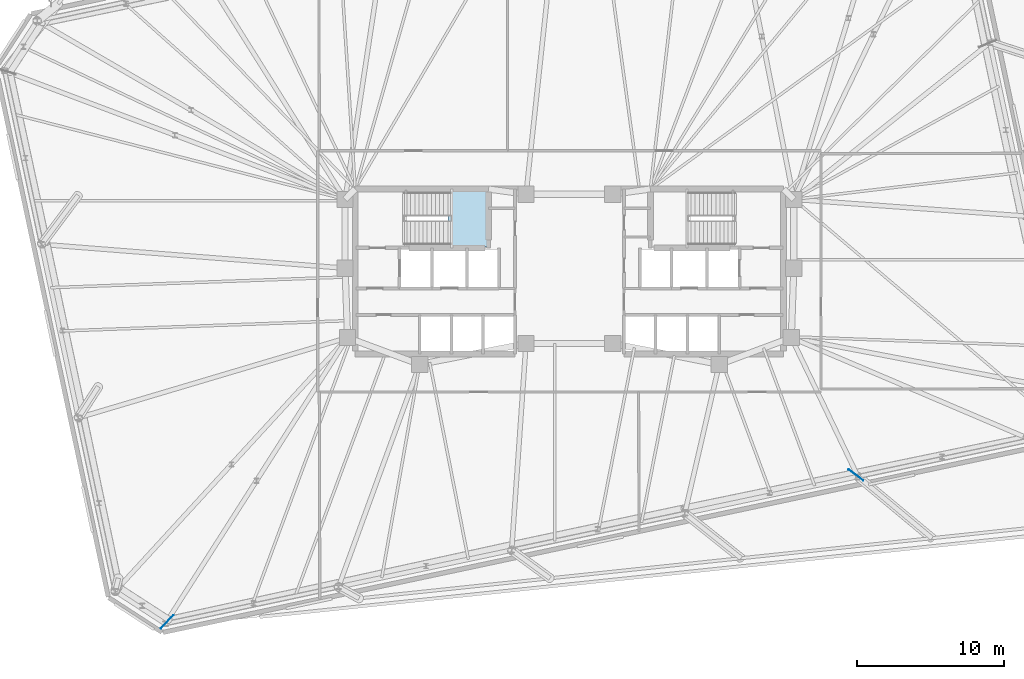
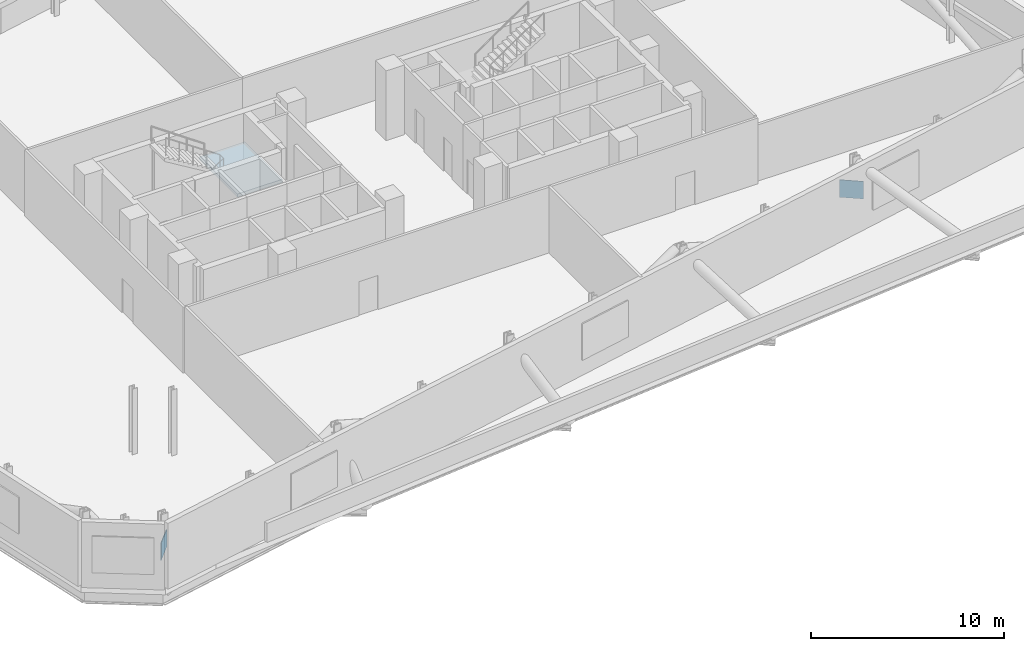
# One storey, part 12 of 19: 2 plates, 1 slab, 1 element without a shape of its own.
"""IFC4 building model written with IfcOpenShell, lengths in metres."""

import ifcopenshell
import ifcopenshell.guid

model = None  # the IFC model being written
_history = None  # IfcOwnerHistory: only IFC2X3 demands one
_inside = {}  # id of a spatial element -> (the spatial element, [elements in it])
_under = {}  # id of a project, library or spatial element -> (it, [spatial elements below it])
_declared = {}  # id of a project -> (the project, [libraries it declares])
_typed = {}  # id of a type object -> (the type object, [elements of that type])
_made_of = {}  # id of a material, layer set ... -> (it, [elements and type objects made of it])


def new_model(schema):
    """Start an empty IFC model of exactly this schema.

    Asked for "IFC4X3", IfcOpenShell would pick the latest addendum, in which some entities
    have other attributes; the version numbers below select the first issue.
    IFC2X3 requires an IfcOwnerHistory on every rooted entity: one is made here for all.
    """
    global model, _history
    if schema == "IFC4X3":
        model = ifcopenshell.file(schema_version=(4, 3, 0, 0))
    else:
        model = ifcopenshell.file(schema=schema)
    _inside.clear()
    _under.clear()
    _declared.clear()
    _typed.clear()
    _made_of.clear()
    _history = None
    if model.schema == "IFC2X3":
        org = make("IfcOrganization", Name="unknown")
        user = make(
            "IfcPersonAndOrganization",
            ThePerson=make("IfcPerson", FamilyName="unknown"),
            TheOrganization=org,
        )
        app = make(
            "IfcApplication",
            ApplicationDeveloper=org,
            Version="unknown",
            ApplicationFullName="unknown",
            ApplicationIdentifier="unknown",
        )
        _history = make(
            "IfcOwnerHistory",
            OwningUser=user,
            OwningApplication=app,
            ChangeAction="ADDED",
            CreationDate=0,
        )
    return model


def make(cls, **values):
    """One entity of the class cls with the attributes given. An attribute that is None is left unset."""
    return model.create_entity(
        cls, **{name: value for name, value in values.items() if value is not None}
    )


def rooted(cls, **values):
    """An entity with a GlobalId (a new one), such as an element, a storey or a relation."""
    return make(cls, GlobalId=ifcopenshell.guid.new(), OwnerHistory=_history, **values)


def si_unit(unit_type, name, prefix=None):
    """IfcSIUnit, for example si_unit("LENGTHUNIT", "METRE", prefix="MILLI")."""
    return make("IfcSIUnit", UnitType=unit_type, Prefix=prefix, Name=name)


def assignment(units):
    """IfcUnitAssignment: the units of a project."""
    return None if units is None else make("IfcUnitAssignment", Units=units)


def point(xyz):
    """IfcCartesianPoint."""
    return None if xyz is None else make("IfcCartesianPoint", Coordinates=xyz)


def direction(xyz):
    """IfcDirection."""
    return None if xyz is None else make("IfcDirection", DirectionRatios=xyz)


def frame(location, z_axis=None, x_axis=None):
    """IfcAxis2Placement3D, a coordinate frame: its origin and axes. An axis left out is left unset."""
    return make(
        "IfcAxis2Placement3D",
        Location=point(location),
        Axis=direction(z_axis),
        RefDirection=direction(x_axis),
    )


def frame_2d(location, x_axis=None):
    """IfcAxis2Placement2D, a coordinate frame in the plane: its origin and x axis."""
    return make(
        "IfcAxis2Placement2D", Location=point(location), RefDirection=direction(x_axis)
    )


def origin():
    """The frame at (0, 0, 0) with its axes left unset."""
    return frame((0.0, 0.0, 0.0))


def origin_2d():
    """The frame at (0, 0) in the plane with its x axis left unset."""
    return frame_2d((0.0, 0.0))


def place(relative_to, where):
    """IfcLocalPlacement: puts the frame where relative to a parent placement (None: the world)."""
    return make(
        "IfcLocalPlacement", PlacementRelTo=relative_to, RelativePlacement=where
    )


def context(
    kind, dimensions, precision=None, world=None, true_north=None, identifier=None
):
    """IfcGeometricRepresentationContext, for example the 3D "Model" context."""
    return make(
        "IfcGeometricRepresentationContext",
        ContextIdentifier=identifier,
        ContextType=kind,
        CoordinateSpaceDimension=dimensions,
        Precision=precision,
        WorldCoordinateSystem=world,
        TrueNorth=true_north,
    )


def subcontext(parent, identifier, kind, view, scale=None):
    """IfcGeometricRepresentationSubContext, for example "Body" below "Model"."""
    return make(
        "IfcGeometricRepresentationSubContext",
        ContextIdentifier=identifier,
        ContextType=kind,
        ParentContext=parent,
        TargetScale=scale,
        TargetView=view,
    )


def project(units=None, contexts=None):
    """IfcProject with its units and contexts."""
    return rooted(
        "IfcProject",
        Name="project",
        RepresentationContexts=contexts,
        UnitsInContext=assignment(units),
    )


def spatial(cls, under=None, at=None, **own):
    """A site, building, storey or space (cls), placed at a placement, below another one or the project."""
    s = rooted(cls, ObjectPlacement=at, **own)
    if under is not None:
        _under.setdefault(under.id(), (under, []))[1].append(s)
    return s


def polyline(points):
    """IfcPolyline through the points."""
    return make("IfcPolyline", Points=[point(p) for p in points])


def profile(cls, at=None, kind="AREA", **sizes):
    """A parametric profile (cls). Its sizes go by their IFC names, for example OverallWidth=200.0."""
    return make(cls, ProfileType=kind, Position=at, **sizes)


def rectangle(**sizes):
    """IfcRectangleProfileDef."""
    return profile("IfcRectangleProfileDef", **sizes)


def outline(outer, holes=None, kind="AREA"):
    """IfcArbitraryClosedProfileDef: a profile drawn as a closed curve; with holes, ...WithVoids."""
    if holes is None:
        return make("IfcArbitraryClosedProfileDef", ProfileType=kind, OuterCurve=outer)
    return make(
        "IfcArbitraryProfileDefWithVoids",
        ProfileType=kind,
        OuterCurve=outer,
        InnerCurves=holes,
    )


def extrude(swept, where, along, depth):
    """IfcExtrudedAreaSolid: the profile swept, set in the frame where, extruded along a direction by depth."""
    return make(
        "IfcExtrudedAreaSolid",
        SweptArea=swept,
        Position=where,
        ExtrudedDirection=direction(along),
        Depth=depth,
    )


def shape(context_of_items, identifier, shape_type, items):
    """IfcShapeRepresentation: the items that make up one representation, for example the "Body"."""
    return make(
        "IfcShapeRepresentation",
        ContextOfItems=context_of_items,
        RepresentationIdentifier=identifier,
        RepresentationType=shape_type,
        Items=items,
    )


def material(Name=None, Category=None):
    """IfcMaterial."""
    return make("IfcMaterial", Name=Name, Category=Category)


def layer(
    of_material, thickness, ventilated=None, Name=None, Category=None, Priority=None
):
    """IfcMaterialLayer: one layer of a wall or slab, of a material (None: an air gap)."""
    return make(
        "IfcMaterialLayer",
        Material=of_material,
        LayerThickness=thickness,
        IsVentilated=ventilated,
        Name=Name,
        Category=Category,
        Priority=Priority,
    )


def layer_set(layers, Name=None):
    """IfcMaterialLayerSet."""
    return make("IfcMaterialLayerSet", MaterialLayers=layers, LayerSetName=Name)


def made_of(thing, what):
    """Note that an element or type object is made of a material, layer set ...; save() writes the relation."""
    if what is not None:
        _made_of.setdefault(what.id(), (what, []))[1].append(thing)
    return thing


def type_object(cls, material=None, **own):
    """A type object (cls), such as IfcWallType, which elements share."""
    return made_of(rooted(cls, **own), material)


def element(
    cls,
    number,
    at=None,
    inside=None,
    cuts=None,
    type_object=None,
    material=None,
    context=None,
    identifier="Body",
    shape_type=None,
    held_by="IfcProductDefinitionShape",
    body=None,
    shapes=None,
    **own,
):
    """One element of the class cls, such as IfcWall. Its Tag is "e" and its number.

    at: its placement. inside: the storey or other place that contains it. cuts: it is an
    opening in that element (IfcRelVoidsElement). A single representation is given by context,
    identifier, shape_type and body (its items); several are given by shapes. held_by: the class
    of the entity that holds the representations. save() writes the other relations.
    """
    e = rooted(cls, Tag="e%d" % number, ObjectPlacement=at, **own)
    if body is not None:
        shapes = [shape(context, identifier, shape_type, body)]
    if shapes is not None:
        e.Representation = make(held_by, Representations=shapes)
    if inside is not None:
        _inside.setdefault(inside.id(), (inside, []))[1].append(e)
    if cuts is not None:
        rooted(
            "IfcRelVoidsElement", RelatingBuildingElement=cuts, RelatedOpeningElement=e
        )
    if type_object is not None:
        _typed.setdefault(type_object.id(), (type_object, []))[1].append(e)
    return made_of(e, material)


def aggregate(whole, parts):
    """IfcRelAggregates: a whole, such as a stair, and the parts it consists of."""
    return rooted("IfcRelAggregates", RelatingObject=whole, RelatedObjects=parts)


def save(model, path):
    """Write the relations noted so far, then the file.

    IfcRelAggregates (storeys below a building ...), IfcRelContainedInSpatialStructure (elements
    in a storey), IfcRelDefinesByType, IfcRelAssociatesMaterial and IfcRelDeclares: one each for
    every whole, place, type object, material and project.
    """
    for whole, parts in _under.values():
        aggregate(whole, parts)
    for where, things in _inside.values():
        rooted(
            "IfcRelContainedInSpatialStructure",
            RelatedElements=things,
            RelatingStructure=where,
        )
    for kind, things in _typed.values():
        rooted("IfcRelDefinesByType", RelatedObjects=things, RelatingType=kind)
    for what, things in _made_of.values():
        rooted("IfcRelAssociatesMaterial", RelatedObjects=things, RelatingMaterial=what)
    for by, libraries in _declared.values():
        rooted("IfcRelDeclares", RelatingContext=by, RelatedDefinitions=libraries)
    model.write(path)


model = new_model("IFC4")

# Units and contexts
model_context = context("Model", 3, precision=1e-05, world=origin(), true_north=direction((0.0, 1.0)))
body_context = subcontext(model_context, "Body", "Model", "MODEL_VIEW")
ifc_project = project(units=[si_unit("LENGTHUNIT", "METRE"), si_unit("AREAUNIT", "SQUARE_METRE"), si_unit("VOLUMEUNIT", "CUBIC_METRE"), si_unit("PLANEANGLEUNIT", "RADIAN"), si_unit("MASSUNIT", "GRAM", prefix="KILO")], contexts=[model_context])

# Site, building, storey
site_placement = place(None, origin())
site = spatial("IfcSite", under=ifc_project, at=site_placement, CompositionType="ELEMENT")
building_placement = place(site_placement, origin())
building = spatial("IfcBuilding", under=site, at=building_placement, Name="Menara Jurai Vektor", CompositionType="ELEMENT")
storey_placement = place(building_placement, frame((0.0, 0.0, 142.89990234375)))
storey = spatial("IfcBuildingStorey", under=building, at=storey_placement, Name="L36", CompositionType="ELEMENT", Elevation=142.89990234375)

# Stair, slab
ifc_material_1 = material(Name="Concrete C40/50", Category="concrete")
stair_type = type_object("IfcStairType", Name="STAIR-DOGLEG-1500", PredefinedType="HALF_TURN_STAIR", material=ifc_material_1)
stair_placement = place(storey_placement, origin())
stair = element("IfcStair", 1, at=stair_placement, inside=storey, type_object=stair_type, Name="Protected Exit Stair ST1 L36", PredefinedType="HALF_TURN_STAIR")
ifc_layer_1 = layer(ifc_material_1, 0.199951171875)
ifc_layer_set_1 = layer_set([ifc_layer_1], Name="Concrete C40/50")
slab_type = type_object("IfcSlabType", Name="STAIR-LANDING-200", PredefinedType="LANDING", material=ifc_layer_set_1)
slab_placement = place(storey_placement, frame((0.0, 0.0, 2.0)))
slab = element("IfcSlab", 2, at=slab_placement, type_object=slab_type, Name="ST1 landing 1", PredefinedType="LANDING", context=body_context, shape_type="SweptSolid", body=[
    extrude(outline(polyline([(-8.239990234375, 1.64990234375), (-5.550048828125, 1.64990234375), (-5.550048828125, 5.550048828125), (-8.239990234375, 5.550048828125), (-8.239990234375, 1.64990234375)])), origin(), (0.0, 0.0, 1.0), 0.2001953125),
])
aggregate(stair, [slab])

# Plates
ifc_material_2 = material(Name="Steel S460", Category="steel")
ifc_layer_2 = layer(ifc_material_2, 0.0400390625)
ifc_layer_set_2 = layer_set([ifc_layer_2], Name="Steel S460")
plate_type = type_object("IfcPlateType", Name="STR-PLT-GUSSET40", PredefinedType="SHEET", material=ifc_layer_set_2)
for number, where, z_axis, x_axis, name in (
    (3, (-27.348388671875, -23.82177734375, 1.650146484375), (0.0, 0.0, 1.0), (0.683783356562, 0.729685083642, 0.0), "Transfer Truss Gusset Plate L36-01"),
    (4, (19.472900390625, -13.837158203125, 1.650146484375), (0.0, 0.0, 1.0), (-0.795790666583, 0.605571808277, 0.0), "Transfer Truss Gusset Plate L36-05"),
):
    element("IfcPlate", number, at=place(storey_placement, frame(where, z_axis=z_axis, x_axis=x_axis)), inside=storey, type_object=plate_type, Name=name, PredefinedType="SHEET", context=body_context, shape_type="SweptSolid", body=[
        extrude(rectangle(XDim=1.25, YDim=0.0400390625, at=origin_2d()), origin(), (0.0, 0.0, 1.0), 1.10009765625),
    ])

save(model, "model.ifc")
